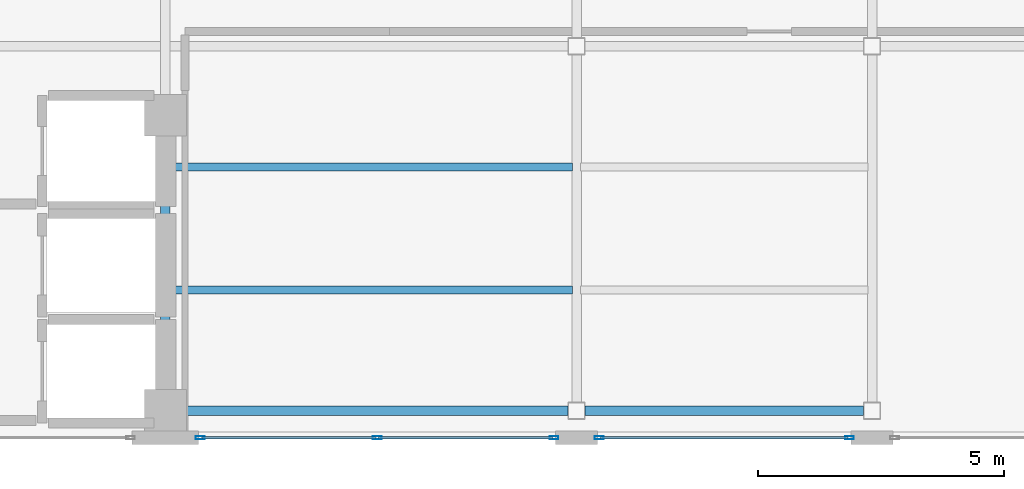
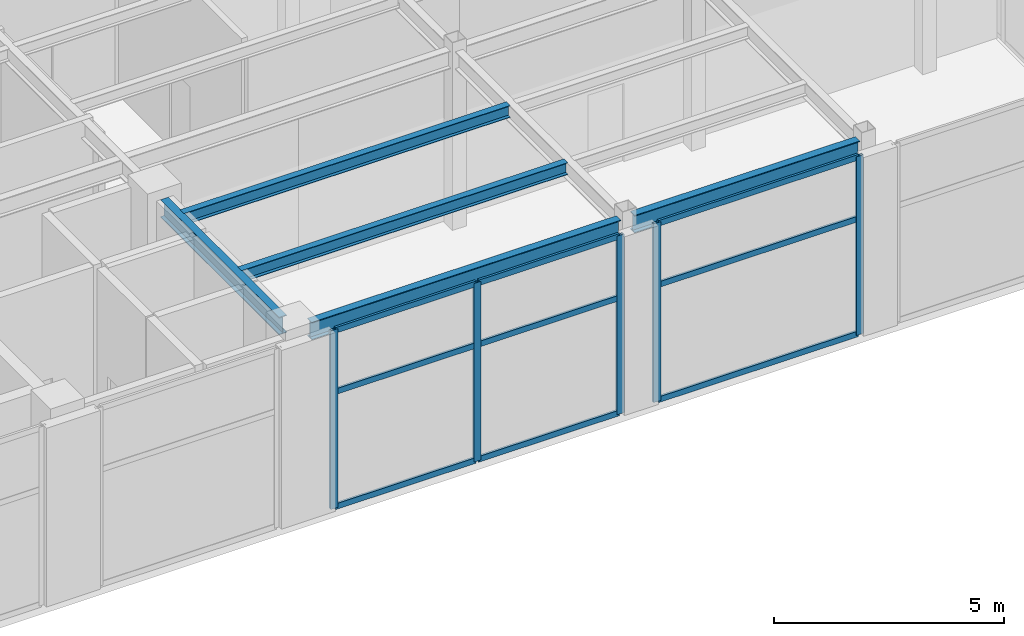
# One storey, part 4 of 16: 14 members, 5 beams, 2 elements without a shape of their own.
"""IFC4 building model written with IfcOpenShell, lengths in metres."""

from ifc_helpers import new_model, si_unit, direction, frame, origin, origin_2d, place, context, subcontext, project, spatial, hollow_rectangle, i_section, extrude, material, layer, layer_set, material_profile, profile_set, type_object, element, aggregate, save


model = new_model("IFC4")

# Units and contexts
model_context = context("Model", 3, precision=1e-05, world=origin(), true_north=direction((0.0, 1.0)))
body_context = subcontext(model_context, "Body", "Model", "MODEL_VIEW")
ifc_project = project(units=[si_unit("LENGTHUNIT", "METRE"), si_unit("AREAUNIT", "SQUARE_METRE"), si_unit("VOLUMEUNIT", "CUBIC_METRE"), si_unit("PLANEANGLEUNIT", "RADIAN"), si_unit("MASSUNIT", "GRAM", prefix="KILO")], contexts=[model_context])

# Site, building, storey
site_placement = place(None, origin())
site = spatial("IfcSite", under=ifc_project, at=site_placement, CompositionType="ELEMENT")
building_placement = place(site_placement, origin())
building = spatial("IfcBuilding", under=site, at=building_placement, Name="Mawjaban Terraces University", CompositionType="ELEMENT")
storey_placement = place(building_placement, frame((0.0, 0.0, 311.699951171875)))
storey = spatial("IfcBuildingStorey", under=building, at=storey_placement, Name="L76", CompositionType="ELEMENT", Elevation=311.699951171875)

# Beams
ifc_material_1 = material(Name="Steel ASTM A572 Grade 50", Category="steel")
ifc_material_profile_1 = material_profile(ifc_material_1, i_section(OverallWidth=0.194091796875, OverallDepth=0.468994140625, WebThickness=0.011474609375, FlangeThickness=0.0205078125, at=origin_2d()), Name="W460X106")
ifc_profile_set_1 = profile_set([ifc_material_profile_1], Name="Steel ASTM A572 Grade 50")
beam_type_1 = type_object("IfcBeamType", Name="Beam_B_W460X106", PredefinedType="BEAM", material=ifc_profile_set_1)
beam_1_placement = place(storey_placement, frame((38.074951171875, 0.550048828125, 4.505126953125), z_axis=(1.0, 0.0, 0.0), x_axis=(0.0, 1.0, 0.0)))
element("IfcBeam", 1, at=beam_1_placement, inside=storey, type_object=beam_type_1, Name="L76 Beam BM-L76-EW-01", PredefinedType="BEAM", context=body_context, shape_type="SweptSolid", body=[
    extrude(i_section(OverallWidth=0.194091796875, OverallDepth=0.468994140625, WebThickness=0.011474609375, FlangeThickness=0.0205078125, at=origin_2d()), origin(), (0.0, 0.0, 1.0), 7.75),
])
beam_2_placement = place(storey_placement, frame((46.175048828125, 0.550048828125, 4.505126953125), z_axis=(1.0, 0.0, 0.0), x_axis=(0.0, 1.0, 0.0)))
element("IfcBeam", 2, at=beam_2_placement, inside=storey, type_object=beam_type_1, Name="L76 Beam BM-L76-EW-02", PredefinedType="BEAM", context=body_context, shape_type="SweptSolid", body=[
    extrude(i_section(OverallWidth=0.194091796875, OverallDepth=0.468994140625, WebThickness=0.011474609375, FlangeThickness=0.0205078125, at=origin_2d()), origin(), (0.0, 0.0, 1.0), 5.64990234375),
])
beam_3_placement = place(storey_placement, frame((37.64990234375, 0.97509765625, 4.505126953125), z_axis=(0.0, 1.0, 0.0), x_axis=(-1.0, 0.0, 0.0)))
element("IfcBeam", 3, at=beam_3_placement, inside=storey, type_object=beam_type_1, Name="L76 Beam BM-L76-NS-04", PredefinedType="BEAM", context=body_context, shape_type="SweptSolid", body=[
    extrude(i_section(OverallWidth=0.194091796875, OverallDepth=0.468994140625, WebThickness=0.011474609375, FlangeThickness=0.0205078125, at=origin_2d()), origin(), (0.0, 0.0, 1.0), 5.14990234375),
])
ifc_material_profile_2 = material_profile(ifc_material_1, i_section(OverallWidth=0.1669921875, OverallDepth=0.318115234375, WebThickness=0.007568359375, FlangeThickness=0.01318359375, at=origin_2d()), Name="W310X52")
ifc_profile_set_2 = profile_set([ifc_material_profile_2], Name="Steel ASTM A572 Grade 50")
beam_type_2 = type_object("IfcBeamType", Name="Beam_J_W310X52", PredefinedType="JOIST", material=ifc_profile_set_2)
for number, where, z_axis, x_axis, name in (
    (4, (37.72998046875, 3.0, 4.5810546875), (1.0, 0.0, 0.0), (0.0, 1.0, 0.0), "L76 Composite Joist JST-L76-01"),
    (5, (37.72998046875, 5.5, 4.5810546875), (1.0, 0.0, 0.0), (0.0, 1.0, 0.0), "L76 Composite Joist JST-L76-03"),
):
    element("IfcBeam", number, at=place(storey_placement, frame(where, z_axis=z_axis, x_axis=x_axis)), inside=storey, type_object=beam_type_2, Name=name, PredefinedType="JOIST", context=body_context, shape_type="SweptSolid", body=[
        extrude(i_section(OverallWidth=0.1669921875, OverallDepth=0.318115234375, WebThickness=0.007568359375, FlangeThickness=0.01318359375, at=origin_2d()), origin(), (0.0, 0.0, 1.0), 8.18994140625),
    ])

# Curtain wall, members
ifc_material_2 = material(Name="Anodised aluminium 6063-T6 and solar-control low-E glass", Category="aluminium")
ifc_layer = layer(ifc_material_2, 0.199951171875)
ifc_layer_set = layer_set([ifc_layer], Name="Anodised aluminium 6063-T6 and solar-control low-E glass")
curtain_wall_type = type_object("IfcCurtainWallType", Name="CWSystem_06_ObservationCrown", PredefinedType="NOTDEFINED", material=ifc_layer_set)
curtain_wall_1_placement = place(storey_placement, origin())
curtain_wall_1 = element("IfcCurtainWall", 6, at=curtain_wall_1_placement, inside=storey, type_object=curtain_wall_type, Name="L76 Curtain Wall CW-06 Run 1.3", PredefinedType="NOTDEFINED")
ifc_material_3 = material(Name="Anodised aluminium 6063-T6", Category="aluminium")
ifc_material_profile_3 = material_profile(ifc_material_3, hollow_rectangle(XDim=0.06494140625, YDim=0.179931640625, WallThickness=0.00390625, at=origin_2d()), Name="ALU180X65X4")
ifc_profile_set_3 = profile_set([ifc_material_profile_3], Name="Anodised aluminium 6063-T6")
member_type_1 = type_object("IfcMemberType", Name="Mullion_CW-06", PredefinedType="MULLION", material=ifc_profile_set_3)
member_1_placement = place(storey_placement, frame((38.357421875, 0.0, 0.0), z_axis=(0.0, 0.0, 1.0), x_axis=(0.0, 1.0, 0.0)))
member_1 = element("IfcMember", 7, at=member_1_placement, type_object=member_type_1, Name="CW-06 mullion 1", PredefinedType="MULLION", context=body_context, shape_type="SweptSolid", body=[
    extrude(hollow_rectangle(XDim=0.06494140625, YDim=0.179931640625, WallThickness=0.00390625, at=origin_2d()), origin(), (0.0, 0.0, 1.0), 4.739990234375),
])
member_2_placement = place(storey_placement, frame((41.949951171875, 0.0, 0.0), z_axis=(0.0, 0.0, 1.0), x_axis=(0.0, 1.0, 0.0)))
member_2 = element("IfcMember", 8, at=member_2_placement, type_object=member_type_1, Name="CW-06 mullion 2", PredefinedType="MULLION", context=body_context, shape_type="SweptSolid", body=[
    extrude(hollow_rectangle(XDim=0.06494140625, YDim=0.179931640625, WallThickness=0.00390625, at=origin_2d()), origin(), (0.0, 0.0, 1.0), 4.739990234375),
])
member_3_placement = place(storey_placement, frame((45.54248046875, 0.0, 0.0), z_axis=(0.0, 0.0, 1.0), x_axis=(0.0, 1.0, 0.0)))
member_3 = element("IfcMember", 9, at=member_3_placement, type_object=member_type_1, Name="CW-06 mullion 3", PredefinedType="MULLION", context=body_context, shape_type="SweptSolid", body=[
    extrude(hollow_rectangle(XDim=0.06494140625, YDim=0.179931640625, WallThickness=0.00390625, at=origin_2d()), origin(), (0.0, 0.0, 1.0), 4.739990234375),
])

curtain_wall_2_placement = place(storey_placement, origin())
curtain_wall_2 = element("IfcCurtainWall", 10, at=curtain_wall_2_placement, inside=storey, type_object=curtain_wall_type, Name="L76 Curtain Wall CW-06 Run 1.4", PredefinedType="NOTDEFINED")
member_4_placement = place(storey_placement, frame((46.45751953125, 0.0, 0.0), z_axis=(0.0, 0.0, 1.0), x_axis=(0.0, 1.0, 0.0)))
member_4 = element("IfcMember", 11, at=member_4_placement, type_object=member_type_1, Name="CW-06 mullion 1", PredefinedType="MULLION", context=body_context, shape_type="SweptSolid", body=[
    extrude(hollow_rectangle(XDim=0.06494140625, YDim=0.179931640625, WallThickness=0.00390625, at=origin_2d()), origin(), (0.0, 0.0, 1.0), 4.739990234375),
])
member_5_placement = place(storey_placement, frame((51.54248046875, 0.0, 0.0), z_axis=(0.0, 0.0, 1.0), x_axis=(0.0, 1.0, 0.0)))
member_5 = element("IfcMember", 12, at=member_5_placement, type_object=member_type_1, Name="CW-06 mullion 2", PredefinedType="MULLION", context=body_context, shape_type="SweptSolid", body=[
    extrude(hollow_rectangle(XDim=0.06494140625, YDim=0.179931640625, WallThickness=0.00390625, at=origin_2d()), origin(), (0.0, 0.0, 1.0), 4.739990234375),
])

# Member
ifc_material_profile_4 = material_profile(ifc_material_3, hollow_rectangle(XDim=0.06005859375, YDim=0.14990234375, WallThickness=0.00390625, at=origin_2d()), Name="ALU150X60X4")
ifc_profile_set_4 = profile_set([ifc_material_profile_4], Name="Anodised aluminium 6063-T6")
member_type_2 = type_object("IfcMemberType", Name="Transom_CW-06", PredefinedType="NOTDEFINED", material=ifc_profile_set_4)
member_6_placement = place(storey_placement, frame((38.389892578125, 0.0, 0.030029296875), z_axis=(1.0, 0.0, 0.0), x_axis=(0.0, 1.0, 0.0)))
member_6 = element("IfcMember", 13, at=member_6_placement, type_object=member_type_2, Name="CW-06 transom 1.1", ObjectType="TRANSOM", PredefinedType="USERDEFINED", context=body_context, shape_type="SweptSolid", body=[
    extrude(hollow_rectangle(XDim=0.06005859375, YDim=0.14990234375, WallThickness=0.00390625, at=origin_2d()), origin(), (0.0, 0.0, 1.0), 3.527587890625),
])

member_7_placement = place(storey_placement, frame((38.389892578125, 0.0, 3.0810546875), z_axis=(1.0, 0.0, 0.0), x_axis=(0.0, 1.0, 0.0)))
member_7 = element("IfcMember", 14, at=member_7_placement, type_object=member_type_2, Name="CW-06 transom 1.2", ObjectType="TRANSOM", PredefinedType="USERDEFINED", context=body_context, shape_type="SweptSolid", body=[
    extrude(hollow_rectangle(XDim=0.06005859375, YDim=0.14990234375, WallThickness=0.00390625, at=origin_2d()), origin(), (0.0, 0.0, 1.0), 3.527587890625),
])

member_8_placement = place(storey_placement, frame((38.389892578125, 0.0, 4.7099609375), z_axis=(1.0, 0.0, 0.0), x_axis=(0.0, 1.0, 0.0)))
member_8 = element("IfcMember", 15, at=member_8_placement, type_object=member_type_2, Name="CW-06 transom 1.3", ObjectType="TRANSOM", PredefinedType="USERDEFINED", context=body_context, shape_type="SweptSolid", body=[
    extrude(hollow_rectangle(XDim=0.06005859375, YDim=0.14990234375, WallThickness=0.00390625, at=origin_2d()), origin(), (0.0, 0.0, 1.0), 3.527587890625),
])

member_9_placement = place(storey_placement, frame((41.982421875, 0.0, 0.030029296875), z_axis=(1.0, 0.0, 0.0), x_axis=(0.0, 1.0, 0.0)))
member_9 = element("IfcMember", 16, at=member_9_placement, type_object=member_type_2, Name="CW-06 transom 2.1", ObjectType="TRANSOM", PredefinedType="USERDEFINED", context=body_context, shape_type="SweptSolid", body=[
    extrude(hollow_rectangle(XDim=0.06005859375, YDim=0.14990234375, WallThickness=0.00390625, at=origin_2d()), origin(), (0.0, 0.0, 1.0), 3.527587890625),
])

member_10_placement = place(storey_placement, frame((41.982421875, 0.0, 3.0810546875), z_axis=(1.0, 0.0, 0.0), x_axis=(0.0, 1.0, 0.0)))
member_10 = element("IfcMember", 17, at=member_10_placement, type_object=member_type_2, Name="CW-06 transom 2.2", ObjectType="TRANSOM", PredefinedType="USERDEFINED", context=body_context, shape_type="SweptSolid", body=[
    extrude(hollow_rectangle(XDim=0.06005859375, YDim=0.14990234375, WallThickness=0.00390625, at=origin_2d()), origin(), (0.0, 0.0, 1.0), 3.527587890625),
])

member_11_placement = place(storey_placement, frame((41.982421875, 0.0, 4.7099609375), z_axis=(1.0, 0.0, 0.0), x_axis=(0.0, 1.0, 0.0)))
member_11 = element("IfcMember", 18, at=member_11_placement, type_object=member_type_2, Name="CW-06 transom 2.3", ObjectType="TRANSOM", PredefinedType="USERDEFINED", context=body_context, shape_type="SweptSolid", body=[
    extrude(hollow_rectangle(XDim=0.06005859375, YDim=0.14990234375, WallThickness=0.00390625, at=origin_2d()), origin(), (0.0, 0.0, 1.0), 3.527587890625),
])

aggregate(curtain_wall_1, [member_1, member_2, member_3, member_6, member_7, member_8, member_9, member_10, member_11])

member_12_placement = place(storey_placement, frame((46.489990234375, 0.0, 0.030029296875), z_axis=(1.0, 0.0, 0.0), x_axis=(0.0, 1.0, 0.0)))
member_12 = element("IfcMember", 19, at=member_12_placement, type_object=member_type_2, Name="CW-06 transom 1.1", ObjectType="TRANSOM", PredefinedType="USERDEFINED", context=body_context, shape_type="SweptSolid", body=[
    extrude(hollow_rectangle(XDim=0.06005859375, YDim=0.14990234375, WallThickness=0.00390625, at=origin_2d()), origin(), (0.0, 0.0, 1.0), 5.02001953125),
])

member_13_placement = place(storey_placement, frame((46.489990234375, 0.0, 3.0810546875), z_axis=(1.0, 0.0, 0.0), x_axis=(0.0, 1.0, 0.0)))
member_13 = element("IfcMember", 20, at=member_13_placement, type_object=member_type_2, Name="CW-06 transom 1.2", ObjectType="TRANSOM", PredefinedType="USERDEFINED", context=body_context, shape_type="SweptSolid", body=[
    extrude(hollow_rectangle(XDim=0.06005859375, YDim=0.14990234375, WallThickness=0.00390625, at=origin_2d()), origin(), (0.0, 0.0, 1.0), 5.02001953125),
])

member_14_placement = place(storey_placement, frame((46.489990234375, 0.0, 4.7099609375), z_axis=(1.0, 0.0, 0.0), x_axis=(0.0, 1.0, 0.0)))
member_14 = element("IfcMember", 21, at=member_14_placement, type_object=member_type_2, Name="CW-06 transom 1.3", ObjectType="TRANSOM", PredefinedType="USERDEFINED", context=body_context, shape_type="SweptSolid", body=[
    extrude(hollow_rectangle(XDim=0.06005859375, YDim=0.14990234375, WallThickness=0.00390625, at=origin_2d()), origin(), (0.0, 0.0, 1.0), 5.02001953125),
])

aggregate(curtain_wall_2, [member_4, member_5, member_12, member_13, member_14])

save(model, "model.ifc")
